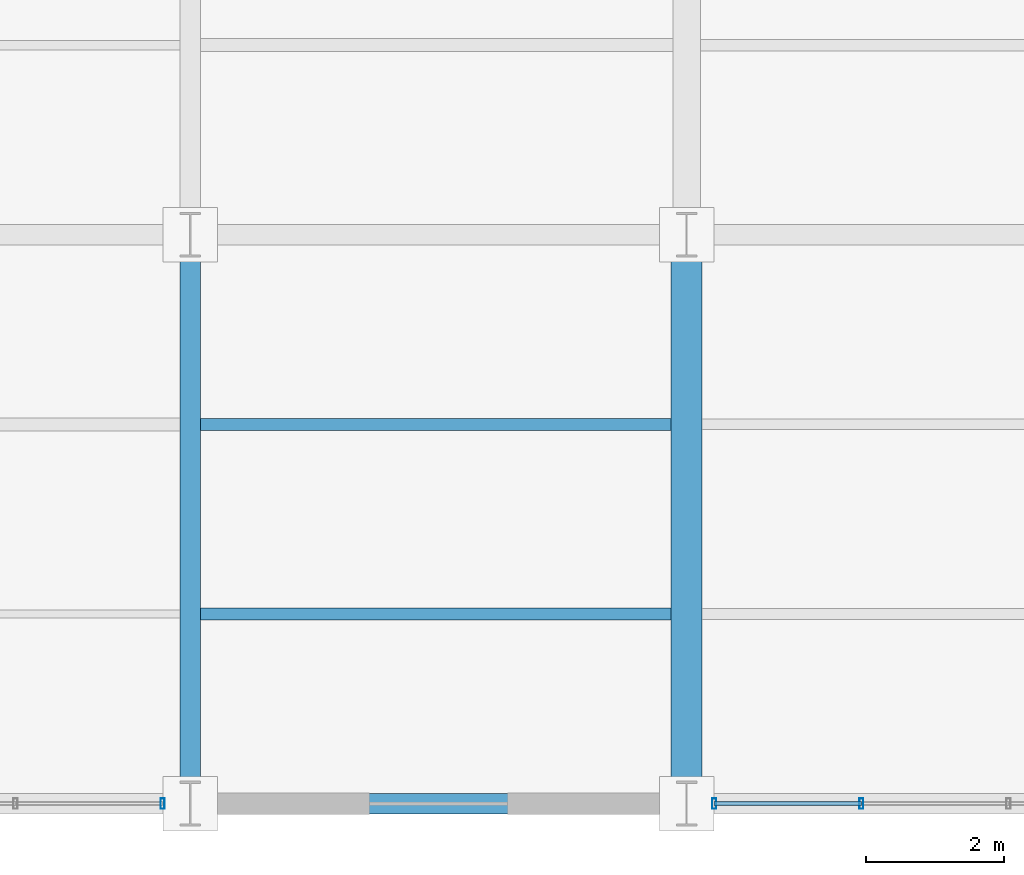
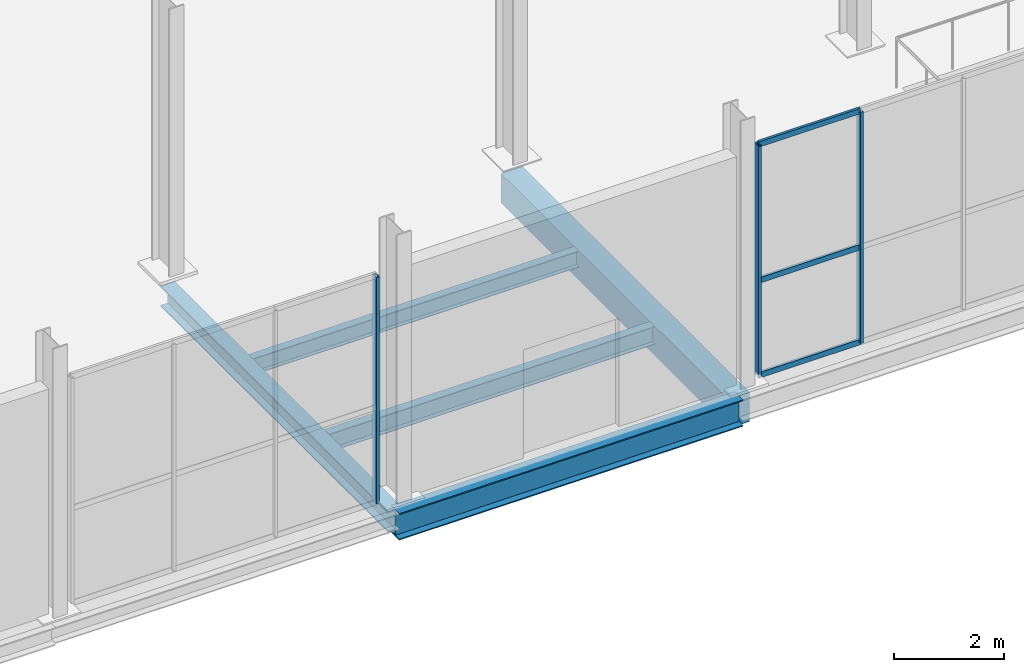
# One storey, part 28 of 144: 6 members, 5 beams, 2 elements without a shape of their own.
"""IFC4 building model written with IfcOpenShell, lengths in metres."""

from ifc_helpers import new_model, si_unit, direction, frame, origin, origin_2d, place, context, subcontext, project, spatial, rectangle, hollow_rectangle, i_section, extrude, material, layer, layer_set, material_profile, profile_set, type_object, element, aggregate, save


model = new_model("IFC4")

# Units and contexts
model_context = context("Model", 3, precision=1e-05, world=origin(), true_north=direction((0.0, 1.0)))
body_context = subcontext(model_context, "Body", "Model", "MODEL_VIEW")
ifc_project = project(units=[si_unit("LENGTHUNIT", "METRE"), si_unit("AREAUNIT", "SQUARE_METRE"), si_unit("VOLUMEUNIT", "CUBIC_METRE"), si_unit("PLANEANGLEUNIT", "RADIAN"), si_unit("MASSUNIT", "GRAM", prefix="KILO")], contexts=[model_context])

# Site, building, storey
site_placement = place(None, origin())
site = spatial("IfcSite", under=ifc_project, at=site_placement, CompositionType="ELEMENT")
building_placement = place(site_placement, origin())
building = spatial("IfcBuilding", under=site, at=building_placement, Name="Sundgate Opera House", CompositionType="ELEMENT")
storey_placement = place(building_placement, origin())
storey = spatial("IfcBuildingStorey", under=building, at=storey_placement, Name="L00", CompositionType="ELEMENT", Elevation=0.0)

# Beams
ifc_material_1 = material(Name="Steel S355J2", Category="steel")
ifc_material_profile_1 = material_profile(ifc_material_1, i_section(OverallWidth=0.300048828125, OverallDepth=0.590087890625, WebThickness=0.012939453125, FlangeThickness=0.02490234375, at=origin_2d()), Name="HEA 600")
ifc_profile_set_1 = profile_set([ifc_material_profile_1], Name="Steel S355J2")
beam_type_1 = type_object("IfcBeamType", Name="BM-GR-HEA600", PredefinedType="BEAM", material=ifc_profile_set_1)
beam_1_placement = place(storey_placement, frame((109.800048828125, 0.0, -0.614990234375), z_axis=(1.0, 0.0, 0.0), x_axis=(0.0, 1.0, 0.0)))
element("IfcBeam", 1, at=beam_1_placement, inside=storey, type_object=beam_type_1, Name="L00 Primary E-W Girder B0330", PredefinedType="BEAM", context=body_context, shape_type="SweptSolid", body=[
    extrude(i_section(OverallWidth=0.300048828125, OverallDepth=0.590087890625, WebThickness=0.012939453125, FlangeThickness=0.02490234375, at=origin_2d()), origin(), (0.0, 0.0, 1.0), 7.199951171875),
])
ifc_material_2 = material(Name="Steel S355J2", Category="steel")
ifc_material_profile_2 = material_profile(ifc_material_2, i_section(OverallWidth=0.300048828125, OverallDepth=0.449951171875, WebThickness=0.013916015625, FlangeThickness=0.02587890625, at=origin_2d()), Name="HEB 450")
ifc_profile_set_2 = profile_set([ifc_material_profile_2], Name="Steel S355J2")
beam_type_2 = type_object("IfcBeamType", Name="BM-GR-HEB450", PredefinedType="BEAM", material=ifc_profile_set_2)
beam_2_placement = place(storey_placement, frame((109.800048828125, 0.0, -0.544921875), z_axis=(0.0, 1.0, 0.0), x_axis=(-1.0, 0.0, 0.0)))
element("IfcBeam", 2, at=beam_2_placement, inside=storey, type_object=beam_type_2, Name="L00 Primary N-S Girder B0218", PredefinedType="BEAM", context=body_context, shape_type="SweptSolid", body=[
    extrude(i_section(OverallWidth=0.300048828125, OverallDepth=0.449951171875, WebThickness=0.013916015625, FlangeThickness=0.02587890625, at=origin_2d()), origin(), (0.0, 0.0, 1.0), 8.25),
])
ifc_material_3 = material(Name="Steel S355J2", Category="steel")
ifc_material_profile_3 = material_profile(ifc_material_3, i_section(OverallWidth=0.169921875, OverallDepth=0.360107421875, WebThickness=0.008056640625, FlangeThickness=0.0126953125, at=origin_2d()), Name="IPE 360")
ifc_profile_set_3 = profile_set([ifc_material_profile_3], Name="Steel S355J2")
beam_type_3 = type_object("IfcBeamType", Name="BM-JS-IPE360", PredefinedType="JOIST", material=ifc_profile_set_3)
beam_3_placement = place(storey_placement, frame((109.949951171875, 5.5, -0.5), z_axis=(1.0, 0.0, 0.0), x_axis=(0.0, 1.0, 0.0)))
element("IfcBeam", 3, at=beam_3_placement, inside=storey, type_object=beam_type_3, Name="L00 Secondary Floor Joist B0618", PredefinedType="JOIST", context=body_context, shape_type="SweptSolid", body=[
    extrude(i_section(OverallWidth=0.169921875, OverallDepth=0.360107421875, WebThickness=0.008056640625, FlangeThickness=0.0126953125, at=origin_2d()), origin(), (0.0, 0.0, 1.0), 6.824951171875),
])
ifc_material_4 = material(Name="Steel S355J2", Category="steel")
ifc_material_profile_4 = material_profile(ifc_material_4, i_section(OverallWidth=0.179931640625, OverallDepth=0.39990234375, WebThickness=0.008544921875, FlangeThickness=0.013427734375, at=origin_2d()), Name="IPE 400")
ifc_profile_set_4 = profile_set([ifc_material_profile_4], Name="Steel S355J2")
beam_type_4 = type_object("IfcBeamType", Name="BM-JS-IPE400", PredefinedType="JOIST", material=ifc_profile_set_4)
beam_4_placement = place(storey_placement, frame((109.949951171875, 2.75, -0.52001953125), z_axis=(1.0, 0.0, 0.0), x_axis=(0.0, 1.0, 0.0)))
element("IfcBeam", 4, at=beam_4_placement, inside=storey, type_object=beam_type_4, Name="L00 Secondary Floor Joist B0617", PredefinedType="JOIST", context=body_context, shape_type="SweptSolid", body=[
    extrude(i_section(OverallWidth=0.179931640625, OverallDepth=0.39990234375, WebThickness=0.008544921875, FlangeThickness=0.013427734375, at=origin_2d()), origin(), (0.0, 0.0, 1.0), 6.824951171875),
])
ifc_material_5 = material(Name="Concrete C35/45", Category="concrete")
ifc_material_profile_5 = material_profile(ifc_material_5, rectangle(XDim=0.449951171875, YDim=0.64990234375, at=origin_2d()), Name="RC 450x650")
ifc_profile_set_5 = profile_set([ifc_material_profile_5], Name="Concrete C35/45")
beam_type_5 = type_object("IfcBeamType", Name="BM-RC-450x650", PredefinedType="BEAM", material=ifc_profile_set_5)
beam_5_placement = place(storey_placement, frame((117.0, 0.0, -0.64501953125), z_axis=(0.0, 1.0, 0.0), x_axis=(-1.0, 0.0, 0.0)))
element("IfcBeam", 5, at=beam_5_placement, inside=storey, type_object=beam_type_5, Name="L00 Primary N-S Girder B0232", PredefinedType="BEAM", context=body_context, shape_type="SweptSolid", body=[
    extrude(rectangle(XDim=0.449951171875, YDim=0.64990234375, at=origin_2d()), origin(), (0.0, 0.0, 1.0), 8.25),
])

# Curtain wall, member
ifc_material_6 = material(Name="Anodized aluminium and low-iron glass", Category="aluminium")
ifc_layer = layer(ifc_material_6, 0.14990234375)
ifc_layer_set = layer_set([ifc_layer], Name="Anodized aluminium and low-iron glass")
curtain_wall_type = type_object("IfcCurtainWallType", Name="CW-WORKSHOP-DARK", PredefinedType="NOTDEFINED", material=ifc_layer_set)
curtain_wall_1_placement = place(storey_placement, origin())
curtain_wall_1 = element("IfcCurtainWall", 6, at=curtain_wall_1_placement, inside=storey, type_object=curtain_wall_type, Name="L00 Curtain Wall CW122", PredefinedType="NOTDEFINED")
ifc_material_7 = material(Name="Anodized aluminium EN AW-6063", Category="aluminium")
ifc_material_profile_6 = material_profile(ifc_material_7, hollow_rectangle(XDim=0.06005859375, YDim=0.14990234375, WallThickness=0.00390625, at=origin_2d()), Name="CWM 150x60x4")
ifc_profile_set_6 = profile_set([ifc_material_profile_6], Name="Anodized aluminium EN AW-6063")
member_type_1 = type_object("IfcMemberType", Name="CWM-ALU-150x60", PredefinedType="MULLION", material=ifc_profile_set_6)
member_1_placement = place(storey_placement, frame((109.39990234375, 0.0, 0.0), z_axis=(0.0, 0.0, 1.0), x_axis=(1.0, 0.0, 0.0)))
member_1 = element("IfcMember", 7, at=member_1_placement, type_object=member_type_1, Name="CW122 Mullion 1", PredefinedType="MULLION", context=body_context, shape_type="SweptSolid", body=[
    extrude(hollow_rectangle(XDim=0.06005859375, YDim=0.14990234375, WallThickness=0.00390625, at=origin_2d()), origin(), (0.0, 0.0, 1.0), 5.014892578125),
])
aggregate(curtain_wall_1, [member_1])

# Curtain wall, members
curtain_wall_2_placement = place(storey_placement, origin())
curtain_wall_2 = element("IfcCurtainWall", 8, at=curtain_wall_2_placement, inside=storey, type_object=curtain_wall_type, Name="L00 Curtain Wall CW123", PredefinedType="NOTDEFINED")
member_2_placement = place(storey_placement, frame((119.533447265625, 0.0, 0.0), z_axis=(0.0, 0.0, 1.0), x_axis=(1.0, 0.0, 0.0)))
member_2 = element("IfcMember", 9, at=member_2_placement, type_object=member_type_1, Name="CW123 Mullion 3", PredefinedType="MULLION", context=body_context, shape_type="SweptSolid", body=[
    extrude(hollow_rectangle(XDim=0.06005859375, YDim=0.14990234375, WallThickness=0.00390625, at=origin_2d()), origin(), (0.0, 0.0, 1.0), 5.114990234375),
])
member_3_placement = place(storey_placement, frame((117.39990234375, 0.0, 0.0), z_axis=(0.0, 0.0, 1.0), x_axis=(1.0, 0.0, 0.0)))
member_3 = element("IfcMember", 10, at=member_3_placement, type_object=member_type_1, Name="CW123 Mullion 4", PredefinedType="MULLION", context=body_context, shape_type="SweptSolid", body=[
    extrude(hollow_rectangle(XDim=0.06005859375, YDim=0.14990234375, WallThickness=0.00390625, at=origin_2d()), origin(), (0.0, 0.0, 1.0), 5.114990234375),
])
ifc_material_8 = material(Name="Anodized aluminium EN AW-6063", Category="aluminium")
ifc_material_profile_7 = material_profile(ifc_material_8, hollow_rectangle(XDim=0.054931640625, YDim=0.1201171875, WallThickness=0.00390625, at=origin_2d()), Name="CWT 120x55x4")
ifc_profile_set_7 = profile_set([ifc_material_profile_7], Name="Anodized aluminium EN AW-6063")
member_type_2 = type_object("IfcMemberType", Name="CWT-ALU-120x55", PredefinedType="USERDEFINED", material=ifc_profile_set_7)
member_4_placement = place(storey_placement, frame((119.533447265625, 0.0, 0.0), z_axis=(-1.0, 0.0, 0.0), x_axis=(0.0, -1.0, 0.0)))
member_4 = element("IfcMember", 11, at=member_4_placement, type_object=member_type_2, Name="CW123 Transom 7", ObjectType="TRANSOM", PredefinedType="USERDEFINED", context=body_context, shape_type="SweptSolid", body=[
    extrude(hollow_rectangle(XDim=0.054931640625, YDim=0.1201171875, WallThickness=0.00390625, at=origin_2d()), origin(), (0.0, 0.0, 1.0), 2.133544921875),
])
member_5_placement = place(storey_placement, frame((119.533447265625, 0.0, 2.10009765625), z_axis=(-1.0, 0.0, 0.0), x_axis=(0.0, -1.0, 0.0)))
member_5 = element("IfcMember", 12, at=member_5_placement, type_object=member_type_2, Name="CW123 Transom 8", ObjectType="TRANSOM", PredefinedType="USERDEFINED", context=body_context, shape_type="SweptSolid", body=[
    extrude(hollow_rectangle(XDim=0.054931640625, YDim=0.1201171875, WallThickness=0.00390625, at=origin_2d()), origin(), (0.0, 0.0, 1.0), 2.133544921875),
])
member_6_placement = place(storey_placement, frame((119.533447265625, 0.0, 5.114990234375), z_axis=(-1.0, 0.0, 0.0), x_axis=(0.0, -1.0, 0.0)))
member_6 = element("IfcMember", 13, at=member_6_placement, type_object=member_type_2, Name="CW123 Transom 9", ObjectType="TRANSOM", PredefinedType="USERDEFINED", context=body_context, shape_type="SweptSolid", body=[
    extrude(hollow_rectangle(XDim=0.054931640625, YDim=0.1201171875, WallThickness=0.00390625, at=origin_2d()), origin(), (0.0, 0.0, 1.0), 2.133544921875),
])
aggregate(curtain_wall_2, [member_2, member_3, member_4, member_5, member_6])

save(model, "model.ifc")
